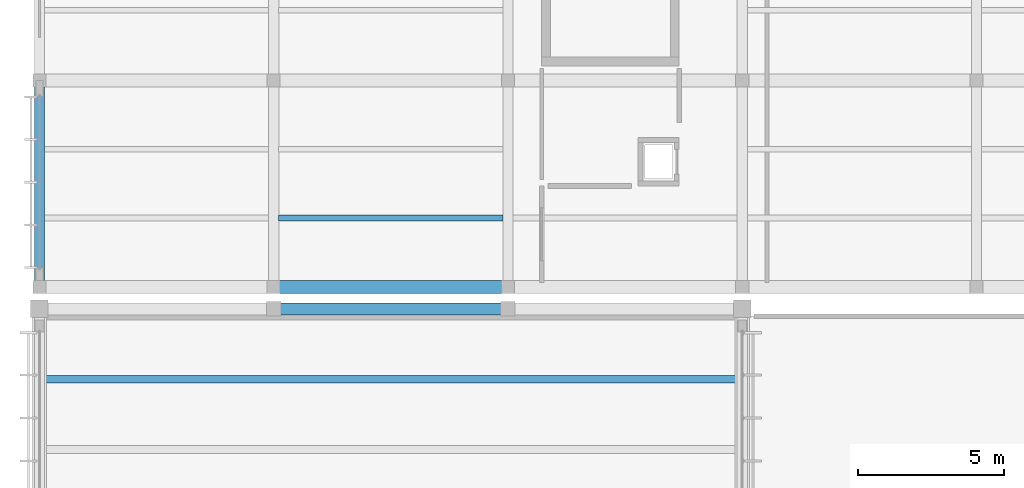
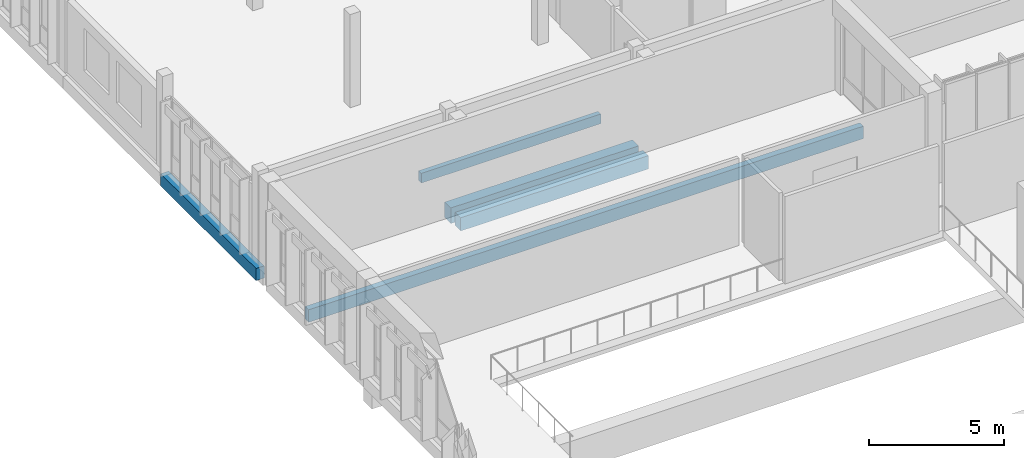
# One storey, part 34 of 182: 5 beams.
"""IFC4 building model written with IfcOpenShell, lengths in metres."""

from ifc_helpers import new_model, si_unit, direction, frame, origin, origin_2d, place, context, subcontext, project, spatial, rectangle, extrude, material, material_profile, profile_set, type_object, element, save


model = new_model("IFC4")

# Units and contexts
model_context = context("Model", 3, precision=1e-05, world=origin(), true_north=direction((0.0, 1.0)))
body_context = subcontext(model_context, "Body", "Model", "MODEL_VIEW")
ifc_project = project(units=[si_unit("LENGTHUNIT", "METRE"), si_unit("AREAUNIT", "SQUARE_METRE"), si_unit("VOLUMEUNIT", "CUBIC_METRE"), si_unit("PLANEANGLEUNIT", "RADIAN"), si_unit("MASSUNIT", "GRAM", prefix="KILO")], contexts=[model_context])

# Site, building, storey
site_placement = place(None, origin())
site = spatial("IfcSite", under=ifc_project, at=site_placement, CompositionType="ELEMENT")
building_placement = place(site_placement, origin())
building = spatial("IfcBuilding", under=site, at=building_placement, Name="Chiffa Square Polytechnic", CompositionType="ELEMENT")
storey_placement = place(building_placement, frame((0.0, 0.0, 9.60009765625)))
storey = spatial("IfcBuildingStorey", under=building, at=storey_placement, Name="L02", CompositionType="ELEMENT", Elevation=9.60009765625)

# Beams
ifc_material_1 = material(Name="Concrete C35/45", Category="concrete")
ifc_material_profile_1 = material_profile(ifc_material_1, rectangle(XDim=0.35009765625, YDim=0.550048828125, at=origin_2d()), Name="RC 350x550")
ifc_profile_set_1 = profile_set([ifc_material_profile_1], Name="Concrete C35/45")
beam_type_1 = type_object("IfcBeamType", Name="BM-RC-350X550", PredefinedType="BEAM", material=ifc_profile_set_1)
beam_1_placement = place(storey_placement, frame((0.0, 36.75, -0.59521484375), z_axis=(0.0, 1.0, 0.0), x_axis=(-1.0, 0.0, 0.0)))
element("IfcBeam", 1, at=beam_1_placement, inside=storey, type_object=beam_type_1, Name="Primary floor girder BM-V6-L02-Y-0000-0368", PredefinedType="BEAM", context=body_context, shape_type="SweptSolid", body=[
    extrude(rectangle(XDim=0.35009765625, YDim=0.550048828125, at=origin_2d()), origin(), (0.0, 0.0, 1.0), 7.050048828125),
])
ifc_material_profile_2 = material_profile(ifc_material_1, rectangle(XDim=0.39990234375, YDim=0.60009765625, at=origin_2d()), Name="RC 400x600")
ifc_profile_set_2 = profile_set([ifc_material_profile_2], Name="Concrete C35/45")
beam_type_2 = type_object("IfcBeamType", Name="BM-RC-400X600", PredefinedType="BEAM", material=ifc_profile_set_2)
beam_2_placement = place(storey_placement, frame((8.0, 36.0, -0.6201171875), z_axis=(1.0, 0.0, 0.0), x_axis=(0.0, 1.0, 0.0)))
element("IfcBeam", 2, at=beam_2_placement, inside=storey, type_object=beam_type_2, Name="Primary floor girder BM-V3-L02-X-0080-0360", PredefinedType="BEAM", context=body_context, shape_type="SweptSolid", body=[
    extrude(rectangle(XDim=0.39990234375, YDim=0.60009765625, at=origin_2d()), origin(), (0.0, 0.0, 1.0), 8.0),
])
ifc_material_profile_3 = material_profile(ifc_material_1, rectangle(XDim=0.449951171875, YDim=0.699951171875, at=origin_2d()), Name="RC 450x700")
ifc_profile_set_3 = profile_set([ifc_material_profile_3], Name="Concrete C35/45")
beam_type_3 = type_object("IfcBeamType", Name="BM-RC-450X700", PredefinedType="BEAM", material=ifc_profile_set_3)
beam_3_placement = place(storey_placement, frame((8.0, 36.75, -0.670166015625), z_axis=(1.0, 0.0, 0.0), x_axis=(0.0, 1.0, 0.0)))
element("IfcBeam", 3, at=beam_3_placement, inside=storey, type_object=beam_type_3, Name="Primary floor girder BM-V6-L02-X-0080-0368", PredefinedType="BEAM", context=body_context, shape_type="SweptSolid", body=[
    extrude(rectangle(XDim=0.449951171875, YDim=0.699951171875, at=origin_2d()), origin(), (0.0, 0.0, 1.0), 8.0),
])
ifc_material_2 = material(Name="Glulam GL28h", Category="wood")
ifc_material_profile_4 = material_profile(ifc_material_2, rectangle(XDim=0.199951171875, YDim=0.43994140625, at=origin_2d()), Name="GL28h 200x440")
ifc_profile_set_4 = profile_set([ifc_material_profile_4], Name="Glulam GL28h")
beam_type_4 = type_object("IfcBeamType", Name="JST-GL-200X440", PredefinedType="JOIST", material=ifc_profile_set_4)
beam_4_placement = place(storey_placement, frame((8.173095703125, 39.10009765625, -0.5400390625), z_axis=(1.0, 0.0, 0.0), x_axis=(0.0, 1.0, 0.0)))
element("IfcBeam", 4, at=beam_4_placement, inside=storey, type_object=beam_type_4, Name="Secondary floor joist JST-V6-L02-0080-0391", PredefinedType="JOIST", context=body_context, shape_type="SweptSolid", body=[
    extrude(rectangle(XDim=0.199951171875, YDim=0.43994140625, at=origin_2d()), origin(), (0.0, 0.0, 1.0), 7.65380859375),
])
ifc_material_profile_5 = material_profile(ifc_material_2, rectangle(XDim=0.260009765625, YDim=0.56005859375, at=origin_2d()), Name="GL28h 260x560")
ifc_profile_set_5 = profile_set([ifc_material_profile_5], Name="Glulam GL28h")
beam_type_5 = type_object("IfcBeamType", Name="JST-GL-260X560", PredefinedType="JOIST", material=ifc_profile_set_5)
beam_5_placement = place(storey_placement, frame((0.173095703125, 33.60009765625, -0.60009765625), z_axis=(1.0, 0.0, 0.0), x_axis=(0.0, 1.0, 0.0)))
element("IfcBeam", 5, at=beam_5_placement, inside=storey, type_object=beam_type_5, Name="Secondary floor joist JST-V3-L02-0000-0336", PredefinedType="JOIST", context=body_context, shape_type="SweptSolid", body=[
    extrude(rectangle(XDim=0.260009765625, YDim=0.56005859375, at=origin_2d()), origin(), (0.0, 0.0, 1.0), 23.65380859375),
])

save(model, "model.ifc")
